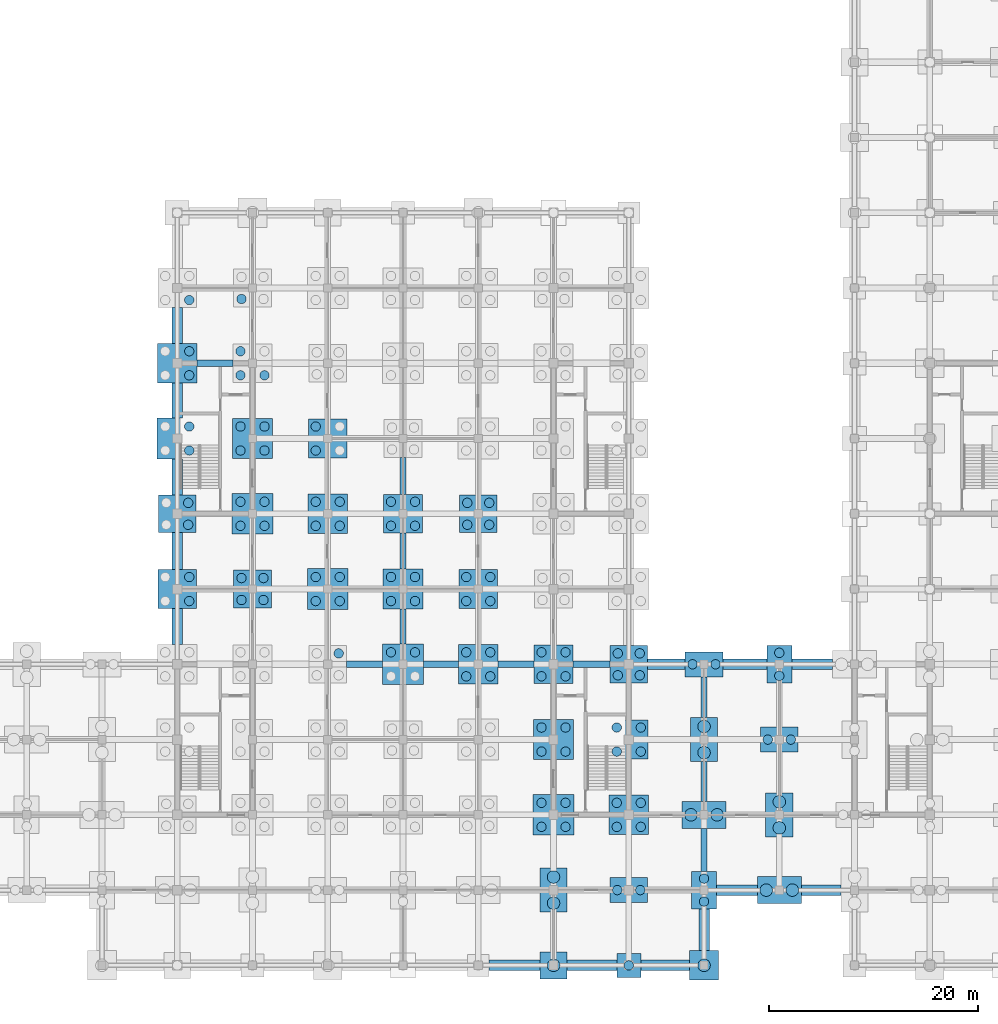
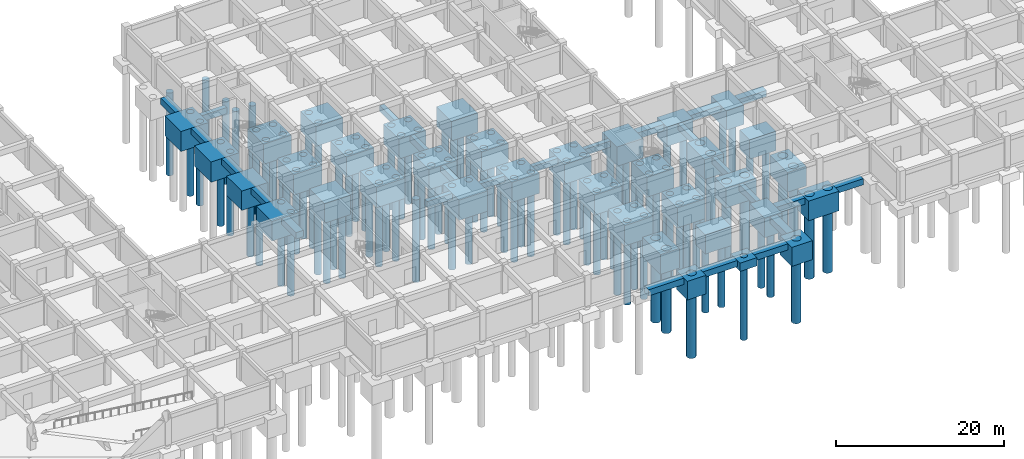
# One storey, part 3 of 25: 105 piles, 60 footings.
"""IFC4 building model written with IfcOpenShell, lengths in metres."""

from ifc_helpers import new_model, si_unit, direction, frame, origin, origin_2d, place, context, subcontext, project, spatial, rectangle, circle, extrude, material, material_profile, profile_set, type_object, element, save


model = new_model("IFC4")

# Units and contexts
model_context = context("Model", 3, precision=1e-05, world=origin(), true_north=direction((0.0, 1.0)))
body_context = subcontext(model_context, "Body", "Model", "MODEL_VIEW")
ifc_project = project(units=[si_unit("LENGTHUNIT", "METRE"), si_unit("AREAUNIT", "SQUARE_METRE"), si_unit("VOLUMEUNIT", "CUBIC_METRE"), si_unit("PLANEANGLEUNIT", "RADIAN"), si_unit("MASSUNIT", "GRAM", prefix="KILO")], contexts=[model_context])

# Site, building, storey
site_placement = place(None, origin())
site = spatial("IfcSite", under=ifc_project, at=site_placement, CompositionType="ELEMENT")
building_placement = place(site_placement, origin())
building = spatial("IfcBuilding", under=site, at=building_placement, Name="Cendaluz Park School", CompositionType="ELEMENT")
storey_placement = place(building_placement, frame((0.0, 0.0, -4.5)))
storey = spatial("IfcBuildingStorey", under=building, at=storey_placement, Name="B1", CompositionType="ELEMENT", Elevation=-4.5)

# Piles
ifc_material = material(Name="Concrete C40/50", Category="concrete")
ifc_material_profile_1 = material_profile(ifc_material, circle(Radius=0.449951171875, at=origin_2d()), Name="BP D900", Category="concrete")
ifc_profile_set_1 = profile_set([ifc_material_profile_1], Name="Concrete C40/50")
pile_type_1 = type_object("IfcPileType", Name="BP-01", PredefinedType="BORED", material=ifc_profile_set_1)
for number, where, z_axis, x_axis, name in (
    (1, (65.949951171875, 34.85009765625, -0.5), (0.0, 0.0, -1.0), (1.0, 0.0, 0.0), "PL-B1-149"),
    (2, (65.949951171875, 37.14990234375, -0.5), (0.0, 0.0, -1.0), (1.0, 0.0, 0.0), "PL-B1-151"),
    (3, (65.85009765625, 42.14990234375, -0.5), (0.0, 0.0, -1.0), (1.0, 0.0, 0.0), "PL-B1-153"),
    (4, (65.85009765625, 44.25, -0.5), (0.0, 0.0, -1.0), (1.0, 0.0, 0.0), "PL-B1-155"),
    (5, (65.949951171875, 49.25, -0.5), (0.0, 0.0, -1.0), (1.0, 0.0, 0.0), "PL-B1-157"),
    (6, (65.949951171875, 51.550048828125, -0.5), (0.0, 0.0, -1.0), (1.0, 0.0, 0.0), "PL-B1-159"),
    (7, (65.949951171875, 56.449951171875, -0.5), (0.0, 0.0, -1.0), (1.0, 0.0, 0.0), "PL-B1-161"),
    (8, (65.949951171875, 58.75, -0.5), (0.0, 0.0, -1.0), (1.0, 0.0, 0.0), "PL-B1-163"),
    (9, (65.949951171875, 63.64990234375, -0.5), (0.0, 0.0, -1.0), (1.0, 0.0, 0.0), "PL-B1-165"),
    (10, (70.949951171875, 34.949951171875, -0.5), (0.0, 0.0, -1.0), (1.0, 0.0, 0.0), "PL-B1-184"),
    (11, (73.050048828125, 34.949951171875, -0.5), (0.0, 0.0, -1.0), (1.0, 0.0, 0.0), "PL-B1-185"),
    (12, (70.949951171875, 37.050048828125, -0.5), (0.0, 0.0, -1.0), (1.0, 0.0, 0.0), "PL-B1-186"),
    (13, (73.050048828125, 37.050048828125, -0.5), (0.0, 0.0, -1.0), (1.0, 0.0, 0.0), "PL-B1-187"),
    (14, (70.85009765625, 42.050048828125, -0.5), (0.0, 0.0, -1.0), (1.0, 0.0, 0.0), "PL-B1-188"),
    (15, (73.14990234375, 42.050048828125, -0.5), (0.0, 0.0, -1.0), (1.0, 0.0, 0.0), "PL-B1-189"),
    (16, (70.85009765625, 44.35009765625, -0.5), (0.0, 0.0, -1.0), (1.0, 0.0, 0.0), "PL-B1-190"),
    (17, (73.14990234375, 44.35009765625, -0.5), (0.0, 0.0, -1.0), (1.0, 0.0, 0.0), "PL-B1-191"),
    (18, (70.85009765625, 49.25, -0.5), (0.0, 0.0, -1.0), (1.0, 0.0, 0.0), "PL-B1-192"),
    (19, (73.14990234375, 49.25, -0.5), (0.0, 0.0, -1.0), (1.0, 0.0, 0.0), "PL-B1-193"),
    (20, (70.85009765625, 51.550048828125, -0.5), (0.0, 0.0, -1.0), (1.0, 0.0, 0.0), "PL-B1-194"),
    (21, (73.14990234375, 51.550048828125, -0.5), (0.0, 0.0, -1.0), (1.0, 0.0, 0.0), "PL-B1-195"),
    (22, (70.85009765625, 56.449951171875, -0.5), (0.0, 0.0, -1.0), (1.0, 0.0, 0.0), "PL-B1-196"),
    (23, (73.14990234375, 56.449951171875, -0.5), (0.0, 0.0, -1.0), (1.0, 0.0, 0.0), "PL-B1-197"),
    (24, (70.85009765625, 58.75, -0.5), (0.0, 0.0, -1.0), (1.0, 0.0, 0.0), "PL-B1-198"),
    (25, (70.949951171875, 63.75, -0.5), (0.0, 0.0, -1.0), (1.0, 0.0, 0.0), "PL-B1-200"),
    (26, (80.25, 29.85009765625, -0.5), (0.0, 0.0, -1.0), (1.0, 0.0, 0.0), "PL-B1-219"),
    (27, (78.050048828125, 34.85009765625, -0.5), (0.0, 0.0, -1.0), (1.0, 0.0, 0.0), "PL-B1-220"),
    (28, (80.35009765625, 34.85009765625, -0.5), (0.0, 0.0, -1.0), (1.0, 0.0, 0.0), "PL-B1-221"),
    (29, (78.050048828125, 37.14990234375, -0.5), (0.0, 0.0, -1.0), (1.0, 0.0, 0.0), "PL-B1-222"),
    (30, (80.35009765625, 37.14990234375, -0.5), (0.0, 0.0, -1.0), (1.0, 0.0, 0.0), "PL-B1-223"),
    (31, (78.050048828125, 42.050048828125, -0.5), (0.0, 0.0, -1.0), (1.0, 0.0, 0.0), "PL-B1-224"),
    (32, (80.35009765625, 42.050048828125, -0.5), (0.0, 0.0, -1.0), (1.0, 0.0, 0.0), "PL-B1-225"),
    (33, (78.050048828125, 44.35009765625, -0.5), (0.0, 0.0, -1.0), (1.0, 0.0, 0.0), "PL-B1-226"),
    (34, (80.35009765625, 44.35009765625, -0.5), (0.0, 0.0, -1.0), (1.0, 0.0, 0.0), "PL-B1-227"),
    (35, (78.050048828125, 49.25, -0.5), (0.0, 0.0, -1.0), (1.0, 0.0, 0.0), "PL-B1-228"),
    (36, (78.050048828125, 51.550048828125, -0.5), (0.0, 0.0, -1.0), (1.0, 0.0, 0.0), "PL-B1-230"),
    (37, (85.25, 29.949951171875, -0.5), (0.0, 0.0, -1.0), (1.0, 0.0, 0.0), "PL-B1-254"),
    (38, (87.550048828125, 29.949951171875, -0.5), (0.0, 0.0, -1.0), (1.0, 0.0, 0.0), "PL-B1-255"),
    (39, (85.25, 34.85009765625, -0.5), (0.0, 0.0, -1.0), (1.0, 0.0, 0.0), "PL-B1-256"),
    (40, (87.550048828125, 34.85009765625, -0.5), (0.0, 0.0, -1.0), (1.0, 0.0, 0.0), "PL-B1-257"),
    (41, (85.25, 37.14990234375, -0.5), (0.0, 0.0, -1.0), (1.0, 0.0, 0.0), "PL-B1-258"),
    (42, (87.550048828125, 37.14990234375, -0.5), (0.0, 0.0, -1.0), (1.0, 0.0, 0.0), "PL-B1-259"),
    (43, (85.25, 42.050048828125, -0.5), (0.0, 0.0, -1.0), (1.0, 0.0, 0.0), "PL-B1-260"),
    (44, (87.550048828125, 42.050048828125, -0.5), (0.0, 0.0, -1.0), (1.0, 0.0, 0.0), "PL-B1-261"),
    (45, (85.25, 44.35009765625, -0.5), (0.0, 0.0, -1.0), (1.0, 0.0, 0.0), "PL-B1-262"),
    (46, (87.550048828125, 44.35009765625, -0.5), (0.0, 0.0, -1.0), (1.0, 0.0, 0.0), "PL-B1-263"),
    (47, (92.449951171875, 27.64990234375, -0.5), (0.0, 0.0, -1.0), (1.0, 0.0, 0.0), "PL-B1-288"),
    (48, (94.75, 27.64990234375, -0.5), (0.0, 0.0, -1.0), (1.0, 0.0, 0.0), "PL-B1-289"),
    (49, (92.449951171875, 29.949951171875, -0.5), (0.0, 0.0, -1.0), (1.0, 0.0, 0.0), "PL-B1-290"),
    (50, (94.75, 29.949951171875, -0.5), (0.0, 0.0, -1.0), (1.0, 0.0, 0.0), "PL-B1-291"),
    (51, (92.449951171875, 34.85009765625, -0.5), (0.0, 0.0, -1.0), (1.0, 0.0, 0.0), "PL-B1-292"),
    (52, (94.75, 34.85009765625, -0.5), (0.0, 0.0, -1.0), (1.0, 0.0, 0.0), "PL-B1-293"),
    (53, (92.449951171875, 37.14990234375, -0.5), (0.0, 0.0, -1.0), (1.0, 0.0, 0.0), "PL-B1-294"),
    (54, (94.75, 37.14990234375, -0.5), (0.0, 0.0, -1.0), (1.0, 0.0, 0.0), "PL-B1-295"),
    (55, (92.550048828125, 42.14990234375, -0.5), (0.0, 0.0, -1.0), (1.0, 0.0, 0.0), "PL-B1-296"),
    (56, (94.64990234375, 42.14990234375, -0.5), (0.0, 0.0, -1.0), (1.0, 0.0, 0.0), "PL-B1-297"),
    (57, (92.550048828125, 44.25, -0.5), (0.0, 0.0, -1.0), (1.0, 0.0, 0.0), "PL-B1-298"),
    (58, (94.64990234375, 44.25, -0.5), (0.0, 0.0, -1.0), (1.0, 0.0, 0.0), "PL-B1-299"),
    (59, (99.64990234375, 13.25, -0.5), (0.0, 0.0, -1.0), (1.0, 0.0, 0.0), "PL-B1-316"),
    (60, (101.949951171875, 13.25, -0.5), (0.0, 0.0, -1.0), (1.0, 0.0, 0.0), "PL-B1-317"),
    (61, (99.64990234375, 15.550048828125, -0.5), (0.0, 0.0, -1.0), (1.0, 0.0, 0.0), "PL-B1-318"),
    (62, (101.949951171875, 15.550048828125, -0.5), (0.0, 0.0, -1.0), (1.0, 0.0, 0.0), "PL-B1-319"),
    (63, (99.64990234375, 20.449951171875, -0.5), (0.0, 0.0, -1.0), (1.0, 0.0, 0.0), "PL-B1-320"),
    (64, (101.949951171875, 20.449951171875, -0.5), (0.0, 0.0, -1.0), (1.0, 0.0, 0.0), "PL-B1-321"),
    (65, (99.64990234375, 22.75, -0.5), (0.0, 0.0, -1.0), (1.0, 0.0, 0.0), "PL-B1-322"),
    (66, (101.949951171875, 22.75, -0.5), (0.0, 0.0, -1.0), (1.0, 0.0, 0.0), "PL-B1-323"),
    (67, (99.64990234375, 27.64990234375, -0.5), (0.0, 0.0, -1.0), (1.0, 0.0, 0.0), "PL-B1-324"),
    (68, (101.949951171875, 27.64990234375, -0.5), (0.0, 0.0, -1.0), (1.0, 0.0, 0.0), "PL-B1-325"),
    (69, (99.64990234375, 29.949951171875, -0.5), (0.0, 0.0, -1.0), (1.0, 0.0, 0.0), "PL-B1-326"),
    (70, (101.949951171875, 29.949951171875, -0.5), (0.0, 0.0, -1.0), (1.0, 0.0, 0.0), "PL-B1-327"),
    (71, (108.0, 0.0, -0.5), (0.0, 0.0, -1.0), (1.0, 0.0, 0.0), "PL-B1-349"),
    (72, (106.89990234375, 7.199951171875, -0.5), (0.0, 0.0, -1.0), (1.0, 0.0, 0.0), "PL-B1-350"),
    (73, (109.10009765625, 7.199951171875, -0.5), (0.0, 0.0, -1.0), (1.0, 0.0, 0.0), "PL-B1-351"),
    (74, (106.85009765625, 13.25, -0.5), (0.0, 0.0, -1.0), (1.0, 0.0, 0.0), "PL-B1-352"),
    (75, (109.14990234375, 13.25, -0.5), (0.0, 0.0, -1.0), (1.0, 0.0, 0.0), "PL-B1-353"),
    (76, (106.85009765625, 15.550048828125, -0.5), (0.0, 0.0, -1.0), (1.0, 0.0, 0.0), "PL-B1-354"),
    (77, (109.14990234375, 15.550048828125, -0.5), (0.0, 0.0, -1.0), (1.0, 0.0, 0.0), "PL-B1-355"),
    (78, (106.85009765625, 20.449951171875, -0.5), (0.0, 0.0, -1.0), (1.0, 0.0, 0.0), "PL-B1-356"),
    (79, (109.14990234375, 20.449951171875, -0.5), (0.0, 0.0, -1.0), (1.0, 0.0, 0.0), "PL-B1-357"),
    (80, (106.85009765625, 22.75, -0.5), (0.0, 0.0, -1.0), (1.0, 0.0, 0.0), "PL-B1-358"),
    (81, (109.14990234375, 22.75, -0.5), (0.0, 0.0, -1.0), (1.0, 0.0, 0.0), "PL-B1-359"),
    (82, (106.949951171875, 27.75, -0.5), (0.0, 0.0, -1.0), (1.0, 0.0, 0.0), "PL-B1-360"),
    (83, (109.050048828125, 27.75, -0.5), (0.0, 0.0, -1.0), (1.0, 0.0, 0.0), "PL-B1-361"),
    (84, (106.949951171875, 29.85009765625, -0.5), (0.0, 0.0, -1.0), (1.0, 0.0, 0.0), "PL-B1-362"),
    (85, (109.050048828125, 29.85009765625, -0.5), (0.0, 0.0, -1.0), (1.0, 0.0, 0.0), "PL-B1-363"),
    (86, (115.199951171875, 6.10009765625, -0.5), (0.0, 0.0, -1.0), (1.0, 0.0, 0.0), "PL-B1-386"),
    (87, (115.199951171875, 8.300048828125, -0.5), (0.0, 0.0, -1.0), (1.0, 0.0, 0.0), "PL-B1-387"),
    (88, (114.10009765625, 28.800048828125, -0.5), (0.0, 0.0, -1.0), (1.0, 0.0, 0.0), "PL-B1-392"),
    (89, (116.300048828125, 28.800048828125, -0.5), (0.0, 0.0, -1.0), (1.0, 0.0, 0.0), "PL-B1-393"),
    (90, (121.300048828125, 21.60009765625, -0.5), (0.0, 0.0, -1.0), (1.0, 0.0, 0.0), "PL-B1-398"),
    (91, (123.5, 21.60009765625, -0.5), (0.0, 0.0, -1.0), (1.0, 0.0, 0.0), "PL-B1-399"),
    (92, (122.39990234375, 27.699951171875, -0.5), (0.0, 0.0, -1.0), (1.0, 0.0, 0.0), "PL-B1-400"),
    (93, (122.39990234375, 29.89990234375, -0.5), (0.0, 0.0, -1.0), (1.0, 0.0, 0.0), "PL-B1-401"),
):
    element("IfcPile", number, at=place(storey_placement, frame(where, z_axis=z_axis, x_axis=x_axis)), inside=storey, type_object=pile_type_1, Name=name, PredefinedType="BORED", context=body_context, shape_type="SweptSolid", body=[
        extrude(circle(Radius=0.449951171875, at=origin_2d()), origin(), (0.0, 0.0, 1.0), 12.0),
    ])
ifc_material_profile_2 = material_profile(ifc_material, circle(Radius=0.60009765625, at=origin_2d()), Name="BP D1200", Category="concrete")
ifc_profile_set_2 = profile_set([ifc_material_profile_2], Name="Concrete C40/50")
pile_type_2 = type_object("IfcPileType", Name="BP-02", PredefinedType="BORED", material=ifc_profile_set_2)
for number, where, z_axis, x_axis, name in (
    (94, (100.800048828125, 0.0, -0.5), (0.0, 0.0, -1.0), (1.0, 0.0, 0.0), "PL-B1-313"),
    (95, (100.800048828125, 5.949951171875, -0.5), (0.0, 0.0, -1.0), (1.0, 0.0, 0.0), "PL-B1-314"),
    (96, (100.800048828125, 8.449951171875, -0.5), (0.0, 0.0, -1.0), (1.0, 0.0, 0.0), "PL-B1-315"),
    (97, (115.199951171875, 0.0, -0.5), (0.0, 0.0, -1.0), (1.0, 0.0, 0.0), "PL-B1-385"),
    (98, (113.949951171875, 14.39990234375, -0.5), (0.0, 0.0, -1.0), (1.0, 0.0, 0.0), "PL-B1-388"),
    (99, (116.449951171875, 14.39990234375, -0.5), (0.0, 0.0, -1.0), (1.0, 0.0, 0.0), "PL-B1-389"),
    (100, (115.199951171875, 20.35009765625, -0.5), (0.0, 0.0, -1.0), (1.0, 0.0, 0.0), "PL-B1-390"),
    (101, (115.199951171875, 22.85009765625, -0.5), (0.0, 0.0, -1.0), (1.0, 0.0, 0.0), "PL-B1-391"),
    (102, (121.14990234375, 7.199951171875, -0.5), (0.0, 0.0, -1.0), (1.0, 0.0, 0.0), "PL-B1-394"),
    (103, (123.64990234375, 7.199951171875, -0.5), (0.0, 0.0, -1.0), (1.0, 0.0, 0.0), "PL-B1-395"),
    (104, (122.39990234375, 13.14990234375, -0.5), (0.0, 0.0, -1.0), (1.0, 0.0, 0.0), "PL-B1-396"),
    (105, (122.39990234375, 15.64990234375, -0.5), (0.0, 0.0, -1.0), (1.0, 0.0, 0.0), "PL-B1-397"),
):
    element("IfcPile", number, at=place(storey_placement, frame(where, z_axis=z_axis, x_axis=x_axis)), inside=storey, type_object=pile_type_2, Name=name, PredefinedType="BORED", context=body_context, shape_type="SweptSolid", body=[
        extrude(circle(Radius=0.60009765625, at=origin_2d()), origin(), (0.0, 0.0, 1.0), 12.0),
    ])

# Footings
footing_type_1 = type_object("IfcFootingType", Name="FB-X335", PredefinedType="FOOTING_BEAM", material=ifc_material)
footing_1_placement = place(storey_placement, frame((90.02490234375, 28.800048828125, -1.39990234375), z_axis=(0.0, 0.0, 1.0), x_axis=(1.0, 0.0, 0.0)))
element("IfcFooting", 106, at=footing_1_placement, inside=storey, type_object=footing_type_1, Name="FT-B1-359", PredefinedType="FOOTING_BEAM", context=body_context, shape_type="SweptSolid", body=[
    extrude(rectangle(XDim=3.35009765625, YDim=0.60009765625, at=origin_2d()), origin(), (0.0, 0.0, 1.0), 0.89990234375),
])
footing_type_2 = type_object("IfcFootingType", Name="FB-X345", PredefinedType="FOOTING_BEAM", material=ifc_material)
for number, where, z_axis, x_axis, name in (
    (107, (68.425048828125, 57.60009765625, -1.39990234375), (0.0, 0.0, 1.0), (1.0, 0.0, 0.0), "FT-B1-348"),
    (108, (82.72509765625, 28.800048828125, -1.39990234375), (0.0, 0.0, 1.0), (1.0, 0.0, 0.0), "FT-B1-355"),
    (109, (97.22509765625, 28.800048828125, -1.39990234375), (0.0, 0.0, 1.0), (1.0, 0.0, 0.0), "FT-B1-363"),
):
    element("IfcFooting", number, at=place(storey_placement, frame(where, z_axis=z_axis, x_axis=x_axis)), inside=storey, type_object=footing_type_2, Name=name, PredefinedType="FOOTING_BEAM", context=body_context, shape_type="SweptSolid", body=[
        extrude(rectangle(XDim=3.449951171875, YDim=0.60009765625, at=origin_2d()), origin(), (0.0, 0.0, 1.0), 0.89990234375),
    ])
footing_type_3 = type_object("IfcFootingType", Name="FB-X355", PredefinedType="FOOTING_BEAM", material=ifc_material)
footing_2_placement = place(storey_placement, frame((104.425048828125, 28.800048828125, -1.39990234375), z_axis=(0.0, 0.0, 1.0), x_axis=(1.0, 0.0, 0.0)))
element("IfcFooting", 110, at=footing_2_placement, inside=storey, type_object=footing_type_3, Name="FT-B1-367", PredefinedType="FOOTING_BEAM", context=body_context, shape_type="SweptSolid", body=[
    extrude(rectangle(XDim=3.550048828125, YDim=0.60009765625, at=origin_2d()), origin(), (0.0, 0.0, 1.0), 0.89990234375),
])
footing_type_4 = type_object("IfcFootingType", Name="FB-Y335", PredefinedType="FOOTING_BEAM", material=ifc_material)
footing_3_placement = place(storey_placement, frame((86.39990234375, 32.425048828125, -1.39990234375), z_axis=(0.0, 0.0, 1.0), x_axis=(1.0, 0.0, 0.0)))
element("IfcFooting", 111, at=footing_3_placement, inside=storey, type_object=footing_type_4, Name="FT-B1-461", PredefinedType="FOOTING_BEAM", context=body_context, shape_type="SweptSolid", body=[
    extrude(rectangle(XDim=0.60009765625, YDim=3.35009765625, at=origin_2d()), origin(), (0.0, 0.0, 1.0), 0.89990234375),
])
footing_type_5 = type_object("IfcFootingType", Name="FB-Y345", PredefinedType="FOOTING_BEAM", material=ifc_material)
footing_4_placement = place(storey_placement, frame((86.39990234375, 39.625, -1.39990234375), z_axis=(0.0, 0.0, 1.0), x_axis=(1.0, 0.0, 0.0)))
element("IfcFooting", 112, at=footing_4_placement, inside=storey, type_object=footing_type_5, Name="FT-B1-462", PredefinedType="FOOTING_BEAM", context=body_context, shape_type="SweptSolid", body=[
    extrude(rectangle(XDim=0.60009765625, YDim=3.449951171875, at=origin_2d()), origin(), (0.0, 0.0, 1.0), 0.89990234375),
])
footing_type_6 = type_object("IfcFootingType", Name="FB-Y355", PredefinedType="FOOTING_BEAM", material=ifc_material)
footing_5_placement = place(storey_placement, frame((86.39990234375, 46.824951171875, -1.39990234375), z_axis=(0.0, 0.0, 1.0), x_axis=(1.0, 0.0, 0.0)))
element("IfcFooting", 113, at=footing_5_placement, inside=storey, type_object=footing_type_6, Name="FT-B1-463", PredefinedType="FOOTING_BEAM", context=body_context, shape_type="SweptSolid", body=[
    extrude(rectangle(XDim=0.60009765625, YDim=3.550048828125, at=origin_2d()), origin(), (0.0, 0.0, 1.0), 0.89990234375),
])
footing_type_7 = type_object("IfcFootingType", Name="FB-Y380", PredefinedType="FOOTING_BEAM", material=ifc_material)
footing_6_placement = place(storey_placement, frame((115.199951171875, 17.60009765625, -1.39990234375), z_axis=(0.0, 0.0, 1.0), x_axis=(1.0, 0.0, 0.0)))
element("IfcFooting", 114, at=footing_6_placement, inside=storey, type_object=footing_type_7, Name="FT-B1-475", PredefinedType="FOOTING_BEAM", context=body_context, shape_type="SweptSolid", body=[
    extrude(rectangle(XDim=0.60009765625, YDim=3.800048828125, at=origin_2d()), origin(), (0.0, 0.0, 1.0), 0.89990234375),
])
footing_type_8 = type_object("IfcFootingType", Name="FB-Y390", PredefinedType="FOOTING_BEAM", material=ifc_material)
footing_7_placement = place(storey_placement, frame((115.199951171875, 25.64990234375, -1.39990234375), z_axis=(0.0, 0.0, 1.0), x_axis=(1.0, 0.0, 0.0)))
element("IfcFooting", 115, at=footing_7_placement, inside=storey, type_object=footing_type_8, Name="FT-B1-476", PredefinedType="FOOTING_BEAM", context=body_context, shape_type="SweptSolid", body=[
    extrude(rectangle(XDim=0.60009765625, YDim=3.89990234375, at=origin_2d()), origin(), (0.0, 0.0, 1.0), 0.89990234375),
])
footing_type_9 = type_object("IfcFootingType", Name="FB-Y410", PredefinedType="FOOTING_BEAM", material=ifc_material)
footing_8_placement = place(storey_placement, frame((115.199951171875, 11.050048828125, -1.39990234375), z_axis=(0.0, 0.0, 1.0), x_axis=(1.0, 0.0, 0.0)))
element("IfcFooting", 116, at=footing_8_placement, inside=storey, type_object=footing_type_9, Name="FT-B1-474", PredefinedType="FOOTING_BEAM", context=body_context, shape_type="SweptSolid", body=[
    extrude(rectangle(XDim=0.60009765625, YDim=4.10009765625, at=origin_2d()), origin(), (0.0, 0.0, 1.0), 0.89990234375),
])
footing_type_10 = type_object("IfcFootingType", Name="PC-01", PredefinedType="PILE_CAP", material=ifc_material)
for number, where, z_axis, x_axis, name in (
    (117, (64.800048828125, 50.39990234375, -3.4501953125), (0.0, 0.0, 1.0), (1.0, 0.0, 0.0), "FT-B1-124"),
    (118, (72.0, 43.199951171875, -3.4501953125), (0.0, 0.0, 1.0), (1.0, 0.0, 0.0), "FT-B1-134"),
    (119, (79.199951171875, 36.0, -3.4501953125), (0.0, 0.0, 1.0), (1.0, 0.0, 0.0), "FT-B1-144"),
    (120, (86.39990234375, 28.800048828125, -3.4501953125), (0.0, 0.0, 1.0), (1.0, 0.0, 0.0), "FT-B1-154"),
    (121, (100.800048828125, 14.39990234375, -3.4501953125), (0.0, 0.0, 1.0), (1.0, 0.0, 0.0), "FT-B1-174"),
):
    element("IfcFooting", number, at=place(storey_placement, frame(where, z_axis=z_axis, x_axis=x_axis)), inside=storey, type_object=footing_type_10, Name=name, PredefinedType="PILE_CAP", context=body_context, shape_type="SweptSolid", body=[
        extrude(rectangle(XDim=3.89990234375, YDim=3.89990234375, at=origin_2d()), origin(), (0.0, 0.0, 1.0), 2.949951171875),
    ])
footing_type_11 = type_object("IfcFootingType", Name="PC-02", PredefinedType="PILE_CAP", material=ifc_material)
for number, where, z_axis, x_axis, name in (
    (122, (64.800048828125, 57.60009765625, -3.39990234375), (0.0, 0.0, 1.0), (1.0, 0.0, 0.0), "FT-B1-125"),
    (123, (72.0, 50.39990234375, -3.39990234375), (0.0, 0.0, 1.0), (1.0, 0.0, 0.0), "FT-B1-135"),
    (124, (79.199951171875, 43.199951171875, -3.39990234375), (0.0, 0.0, 1.0), (1.0, 0.0, 0.0), "FT-B1-145"),
    (125, (86.39990234375, 36.0, -3.39990234375), (0.0, 0.0, 1.0), (1.0, 0.0, 0.0), "FT-B1-155"),
    (126, (93.60009765625, 28.800048828125, -3.39990234375), (0.0, 0.0, 1.0), (1.0, 0.0, 0.0), "FT-B1-165"),
    (127, (100.800048828125, 21.60009765625, -3.39990234375), (0.0, 0.0, 1.0), (1.0, 0.0, 0.0), "FT-B1-175"),
    (128, (108.0, 14.39990234375, -3.39990234375), (0.0, 0.0, 1.0), (1.0, 0.0, 0.0), "FT-B1-185"),
):
    element("IfcFooting", number, at=place(storey_placement, frame(where, z_axis=z_axis, x_axis=x_axis)), inside=storey, type_object=footing_type_11, Name=name, PredefinedType="PILE_CAP", context=body_context, shape_type="SweptSolid", body=[
        extrude(rectangle(XDim=3.800048828125, YDim=3.800048828125, at=origin_2d()), origin(), (0.0, 0.0, 1.0), 2.89990234375),
    ])
footing_type_12 = type_object("IfcFootingType", Name="PC-03", PredefinedType="PILE_CAP", material=ifc_material)
for number, where, z_axis, x_axis, name in (
    (129, (64.800048828125, 36.0, -3.35009765625), (0.0, 0.0, 1.0), (1.0, 0.0, 0.0), "FT-B1-122"),
    (130, (79.199951171875, 50.39990234375, -3.35009765625), (0.0, 0.0, 1.0), (1.0, 0.0, 0.0), "FT-B1-146"),
    (131, (86.39990234375, 43.199951171875, -3.35009765625), (0.0, 0.0, 1.0), (1.0, 0.0, 0.0), "FT-B1-156"),
    (132, (93.60009765625, 36.0, -3.35009765625), (0.0, 0.0, 1.0), (1.0, 0.0, 0.0), "FT-B1-166"),
    (133, (100.800048828125, 28.800048828125, -3.35009765625), (0.0, 0.0, 1.0), (1.0, 0.0, 0.0), "FT-B1-176"),
    (134, (108.0, 21.60009765625, -3.35009765625), (0.0, 0.0, 1.0), (1.0, 0.0, 0.0), "FT-B1-186"),
):
    element("IfcFooting", number, at=place(storey_placement, frame(where, z_axis=z_axis, x_axis=x_axis)), inside=storey, type_object=footing_type_12, Name=name, PredefinedType="PILE_CAP", context=body_context, shape_type="SweptSolid", body=[
        extrude(rectangle(XDim=3.699951171875, YDim=3.699951171875, at=origin_2d()), origin(), (0.0, 0.0, 1.0), 2.85009765625),
    ])
footing_type_13 = type_object("IfcFootingType", Name="PC-04", PredefinedType="PILE_CAP", material=ifc_material)
for number, where, z_axis, x_axis, name in (
    (135, (64.800048828125, 43.199951171875, -3.2998046875), (0.0, 0.0, 1.0), (1.0, 0.0, 0.0), "FT-B1-123"),
    (136, (72.0, 36.0, -3.2998046875), (0.0, 0.0, 1.0), (1.0, 0.0, 0.0), "FT-B1-133"),
    (137, (93.60009765625, 43.199951171875, -3.2998046875), (0.0, 0.0, 1.0), (1.0, 0.0, 0.0), "FT-B1-167"),
    (138, (108.0, 28.800048828125, -3.2998046875), (0.0, 0.0, 1.0), (1.0, 0.0, 0.0), "FT-B1-187"),
):
    element("IfcFooting", number, at=place(storey_placement, frame(where, z_axis=z_axis, x_axis=x_axis)), inside=storey, type_object=footing_type_13, Name=name, PredefinedType="PILE_CAP", context=body_context, shape_type="SweptSolid", body=[
        extrude(rectangle(XDim=3.60009765625, YDim=3.60009765625, at=origin_2d()), origin(), (0.0, 0.0, 1.0), 2.800048828125),
    ])
footing_type_14 = type_object("IfcFootingType", Name="PC-05", PredefinedType="PILE_CAP", material=ifc_material)
for number, where, z_axis, x_axis, name in (
    (139, (108.0, 7.199951171875, -3.2998046875), (0.0, 0.0, 1.0), (1.0, 0.0, 0.0), "FT-B1-184"),
    (140, (115.199951171875, 28.800048828125, -3.2998046875), (0.0, 0.0, 1.0), (1.0, 0.0, 0.0), "FT-B1-198"),
    (141, (122.39990234375, 21.60009765625, -3.2998046875), (0.0, 0.0, 1.0), (1.0, 0.0, 0.0), "FT-B1-201"),
):
    element("IfcFooting", number, at=place(storey_placement, frame(where, z_axis=z_axis, x_axis=x_axis)), inside=storey, type_object=footing_type_14, Name=name, PredefinedType="PILE_CAP", context=body_context, shape_type="SweptSolid", body=[
        extrude(rectangle(XDim=3.60009765625, YDim=2.39990234375, at=origin_2d()), origin(), (0.0, 0.0, 1.0), 2.800048828125),
    ])
footing_type_15 = type_object("IfcFootingType", Name="PC-06", PredefinedType="PILE_CAP", material=ifc_material)
for number, where, z_axis, x_axis, name in (
    (142, (115.199951171875, 7.199951171875, -3.2998046875), (0.0, 0.0, 1.0), (1.0, 0.0, 0.0), "FT-B1-195"),
    (143, (122.39990234375, 28.800048828125, -3.2998046875), (0.0, 0.0, 1.0), (1.0, 0.0, 0.0), "FT-B1-202"),
):
    element("IfcFooting", number, at=place(storey_placement, frame(where, z_axis=z_axis, x_axis=x_axis)), inside=storey, type_object=footing_type_15, Name=name, PredefinedType="PILE_CAP", context=body_context, shape_type="SweptSolid", body=[
        extrude(rectangle(XDim=2.39990234375, YDim=3.60009765625, at=origin_2d()), origin(), (0.0, 0.0, 1.0), 2.800048828125),
    ])
footing_type_16 = type_object("IfcFootingType", Name="PC-07", PredefinedType="PILE_CAP", material=ifc_material)
for number, where, z_axis, x_axis, name in (
    (144, (115.199951171875, 14.39990234375, -3.35009765625), (0.0, 0.0, 1.0), (1.0, 0.0, 0.0), "FT-B1-196"),
    (145, (122.39990234375, 7.199951171875, -3.35009765625), (0.0, 0.0, 1.0), (1.0, 0.0, 0.0), "FT-B1-199"),
):
    element("IfcFooting", number, at=place(storey_placement, frame(where, z_axis=z_axis, x_axis=x_axis)), inside=storey, type_object=footing_type_16, Name=name, PredefinedType="PILE_CAP", context=body_context, shape_type="SweptSolid", body=[
        extrude(rectangle(XDim=4.199951171875, YDim=2.60009765625, at=origin_2d()), origin(), (0.0, 0.0, 1.0), 2.85009765625),
    ])
footing_type_17 = type_object("IfcFootingType", Name="PC-08", PredefinedType="PILE_CAP", material=ifc_material)
for number, where, z_axis, x_axis, name in (
    (146, (100.800048828125, 7.199951171875, -3.35009765625), (0.0, 0.0, 1.0), (1.0, 0.0, 0.0), "FT-B1-173"),
    (147, (115.199951171875, 21.60009765625, -3.35009765625), (0.0, 0.0, 1.0), (1.0, 0.0, 0.0), "FT-B1-197"),
    (148, (122.39990234375, 14.39990234375, -3.35009765625), (0.0, 0.0, 1.0), (1.0, 0.0, 0.0), "FT-B1-200"),
):
    element("IfcFooting", number, at=place(storey_placement, frame(where, z_axis=z_axis, x_axis=x_axis)), inside=storey, type_object=footing_type_17, Name=name, PredefinedType="PILE_CAP", context=body_context, shape_type="SweptSolid", body=[
        extrude(rectangle(XDim=2.60009765625, YDim=4.199951171875, at=origin_2d()), origin(), (0.0, 0.0, 1.0), 2.85009765625),
    ])
footing_type_18 = type_object("IfcFootingType", Name="PC-09", PredefinedType="PILE_CAP", material=ifc_material)
footing_9_placement = place(storey_placement, frame((115.199951171875, 0.0, -3.25), z_axis=(0.0, 0.0, 1.0), x_axis=(1.0, 0.0, 0.0)))
element("IfcFooting", 149, at=footing_9_placement, inside=storey, type_object=footing_type_18, Name="FT-B1-194", PredefinedType="PILE_CAP", context=body_context, shape_type="SweptSolid", body=[
    extrude(rectangle(XDim=2.800048828125, YDim=2.800048828125, at=origin_2d()), origin(), (0.0, 0.0, 1.0), 2.75),
])
footing_type_19 = type_object("IfcFootingType", Name="PC-11", PredefinedType="PILE_CAP", material=ifc_material)
footing_10_placement = place(storey_placement, frame((100.800048828125, 0.0, -3.2001953125), z_axis=(0.0, 0.0, 1.0), x_axis=(1.0, 0.0, 0.0)))
element("IfcFooting", 150, at=footing_10_placement, inside=storey, type_object=footing_type_19, Name="FT-B1-172", PredefinedType="PILE_CAP", context=body_context, shape_type="SweptSolid", body=[
    extrude(rectangle(XDim=2.60009765625, YDim=2.60009765625, at=origin_2d()), origin(), (0.0, 0.0, 1.0), 2.699951171875),
])
footing_type_20 = type_object("IfcFootingType", Name="PC-14", PredefinedType="PILE_CAP", material=ifc_material)
footing_11_placement = place(storey_placement, frame((108.0, 0.0, -1.7001953125), z_axis=(0.0, 0.0, 1.0), x_axis=(1.0, 0.0, 0.0)))
element("IfcFooting", 151, at=footing_11_placement, inside=storey, type_object=footing_type_20, Name="FT-B1-183", PredefinedType="PILE_CAP", context=body_context, shape_type="SweptSolid", body=[
    extrude(rectangle(XDim=2.300048828125, YDim=2.300048828125, at=origin_2d()), origin(), (0.0, 0.0, 1.0), 1.199951171875),
])
footing_type_21 = type_object("IfcFootingType", Name="SF-X360", PredefinedType="STRIP_FOOTING", material=ifc_material)
footing_12_placement = place(storey_placement, frame((111.60009765625, 28.800048828125, -1.39990234375), z_axis=(0.0, 0.0, 1.0), x_axis=(1.0, 0.0, 0.0)))
element("IfcFooting", 152, at=footing_12_placement, inside=storey, type_object=footing_type_21, Name="FT-B1-371", PredefinedType="STRIP_FOOTING", context=body_context, shape_type="SweptSolid", body=[
    extrude(rectangle(XDim=3.60009765625, YDim=1.0, at=origin_2d()), origin(), (0.0, 0.0, 1.0), 0.89990234375),
])
footing_type_22 = type_object("IfcFootingType", Name="SF-X380", PredefinedType="STRIP_FOOTING", material=ifc_material)
footing_13_placement = place(storey_placement, frame((126.39990234375, 7.199951171875, -1.39990234375), z_axis=(0.0, 0.0, 1.0), x_axis=(1.0, 0.0, 0.0)))
element("IfcFooting", 153, at=footing_13_placement, inside=storey, type_object=footing_type_22, Name="FT-B1-374", PredefinedType="STRIP_FOOTING", context=body_context, shape_type="SweptSolid", body=[
    extrude(rectangle(XDim=3.800048828125, YDim=1.0, at=origin_2d()), origin(), (0.0, 0.0, 1.0), 0.89990234375),
])
footing_type_23 = type_object("IfcFootingType", Name="SF-X390", PredefinedType="STRIP_FOOTING", material=ifc_material)
for number, where, z_axis, x_axis, name in (
    (154, (118.35009765625, 7.199951171875, -1.39990234375), (0.0, 0.0, 1.0), (1.0, 0.0, 0.0), "FT-B1-372"),
    (155, (125.550048828125, 28.800048828125, -1.39990234375), (0.0, 0.0, 1.0), (1.0, 0.0, 0.0), "FT-B1-375"),
):
    element("IfcFooting", number, at=place(storey_placement, frame(where, z_axis=z_axis, x_axis=x_axis)), inside=storey, type_object=footing_type_23, Name=name, PredefinedType="STRIP_FOOTING", context=body_context, shape_type="SweptSolid", body=[
        extrude(rectangle(XDim=3.89990234375, YDim=1.0, at=origin_2d()), origin(), (0.0, 0.0, 1.0), 0.89990234375),
    ])
footing_type_24 = type_object("IfcFootingType", Name="SF-X420", PredefinedType="STRIP_FOOTING", material=ifc_material)
footing_14_placement = place(storey_placement, frame((119.10009765625, 28.800048828125, -1.39990234375), z_axis=(0.0, 0.0, 1.0), x_axis=(1.0, 0.0, 0.0)))
element("IfcFooting", 156, at=footing_14_placement, inside=storey, type_object=footing_type_24, Name="FT-B1-373", PredefinedType="STRIP_FOOTING", context=body_context, shape_type="SweptSolid", body=[
    extrude(rectangle(XDim=4.199951171875, YDim=1.0, at=origin_2d()), origin(), (0.0, 0.0, 1.0), 0.89990234375),
])
footing_type_25 = type_object("IfcFootingType", Name="SF-X465", PredefinedType="STRIP_FOOTING", material=ifc_material)
footing_15_placement = place(storey_placement, frame((111.47509765625, 0.0, -1.39990234375), z_axis=(0.0, 0.0, 1.0), x_axis=(1.0, 0.0, 0.0)))
element("IfcFooting", 157, at=footing_15_placement, inside=storey, type_object=footing_type_25, Name="FT-B1-370", PredefinedType="STRIP_FOOTING", context=body_context, shape_type="SweptSolid", body=[
    extrude(rectangle(XDim=4.64990234375, YDim=1.0, at=origin_2d()), origin(), (0.0, 0.0, 1.0), 0.89990234375),
])
footing_type_26 = type_object("IfcFootingType", Name="SF-X475", PredefinedType="STRIP_FOOTING", material=ifc_material)
footing_16_placement = place(storey_placement, frame((104.47509765625, 0.0, -1.39990234375), z_axis=(0.0, 0.0, 1.0), x_axis=(1.0, 0.0, 0.0)))
element("IfcFooting", 158, at=footing_16_placement, inside=storey, type_object=footing_type_26, Name="FT-B1-366", PredefinedType="STRIP_FOOTING", context=body_context, shape_type="SweptSolid", body=[
    extrude(rectangle(XDim=4.75, YDim=1.0, at=origin_2d()), origin(), (0.0, 0.0, 1.0), 0.89990234375),
])
footing_type_27 = type_object("IfcFootingType", Name="SF-X485", PredefinedType="STRIP_FOOTING", material=ifc_material)
footing_17_placement = place(storey_placement, frame((97.074951171875, 0.0, -1.39990234375), z_axis=(0.0, 0.0, 1.0), x_axis=(1.0, 0.0, 0.0)))
element("IfcFooting", 159, at=footing_17_placement, inside=storey, type_object=footing_type_27, Name="FT-B1-362", PredefinedType="STRIP_FOOTING", context=body_context, shape_type="SweptSolid", body=[
    extrude(rectangle(XDim=4.85009765625, YDim=1.0, at=origin_2d()), origin(), (0.0, 0.0, 1.0), 0.89990234375),
])
footing_type_28 = type_object("IfcFootingType", Name="SF-Y335", PredefinedType="STRIP_FOOTING", material=ifc_material)
footing_18_placement = place(storey_placement, frame((64.800048828125, 54.02490234375, -1.39990234375), z_axis=(0.0, 0.0, 1.0), x_axis=(1.0, 0.0, 0.0)))
element("IfcFooting", 160, at=footing_18_placement, inside=storey, type_object=footing_type_28, Name="FT-B1-454", PredefinedType="STRIP_FOOTING", context=body_context, shape_type="SweptSolid", body=[
    extrude(rectangle(XDim=1.0, YDim=3.35009765625, at=origin_2d()), origin(), (0.0, 0.0, 1.0), 0.89990234375),
])
footing_type_29 = type_object("IfcFootingType", Name="SF-Y345", PredefinedType="STRIP_FOOTING", material=ifc_material)
for number, where, z_axis, x_axis, name in (
    (161, (64.800048828125, 32.425048828125, -1.39990234375), (0.0, 0.0, 1.0), (1.0, 0.0, 0.0), "FT-B1-451"),
    (162, (64.800048828125, 46.72509765625, -1.39990234375), (0.0, 0.0, 1.0), (1.0, 0.0, 0.0), "FT-B1-453"),
    (163, (64.800048828125, 61.22509765625, -1.39990234375), (0.0, 0.0, 1.0), (1.0, 0.0, 0.0), "FT-B1-455"),
):
    element("IfcFooting", number, at=place(storey_placement, frame(where, z_axis=z_axis, x_axis=x_axis)), inside=storey, type_object=footing_type_29, Name=name, PredefinedType="STRIP_FOOTING", context=body_context, shape_type="SweptSolid", body=[
        extrude(rectangle(XDim=1.0, YDim=3.449951171875, at=origin_2d()), origin(), (0.0, 0.0, 1.0), 0.89990234375),
    ])
footing_type_30 = type_object("IfcFootingType", Name="SF-Y355", PredefinedType="STRIP_FOOTING", material=ifc_material)
footing_19_placement = place(storey_placement, frame((64.800048828125, 39.625, -1.39990234375), z_axis=(0.0, 0.0, 1.0), x_axis=(1.0, 0.0, 0.0)))
element("IfcFooting", 164, at=footing_19_placement, inside=storey, type_object=footing_type_30, Name="FT-B1-452", PredefinedType="STRIP_FOOTING", context=body_context, shape_type="SweptSolid", body=[
    extrude(rectangle(XDim=1.0, YDim=3.550048828125, at=origin_2d()), origin(), (0.0, 0.0, 1.0), 0.89990234375),
])
footing_type_31 = type_object("IfcFootingType", Name="SF-Y400", PredefinedType="STRIP_FOOTING", material=ifc_material)
footing_20_placement = place(storey_placement, frame((115.199951171875, 3.39990234375, -1.39990234375), z_axis=(0.0, 0.0, 1.0), x_axis=(1.0, 0.0, 0.0)))
element("IfcFooting", 165, at=footing_20_placement, inside=storey, type_object=footing_type_31, Name="FT-B1-473", PredefinedType="STRIP_FOOTING", context=body_context, shape_type="SweptSolid", body=[
    extrude(rectangle(XDim=1.0, YDim=4.0, at=origin_2d()), origin(), (0.0, 0.0, 1.0), 0.89990234375),
])

save(model, "model.ifc")
